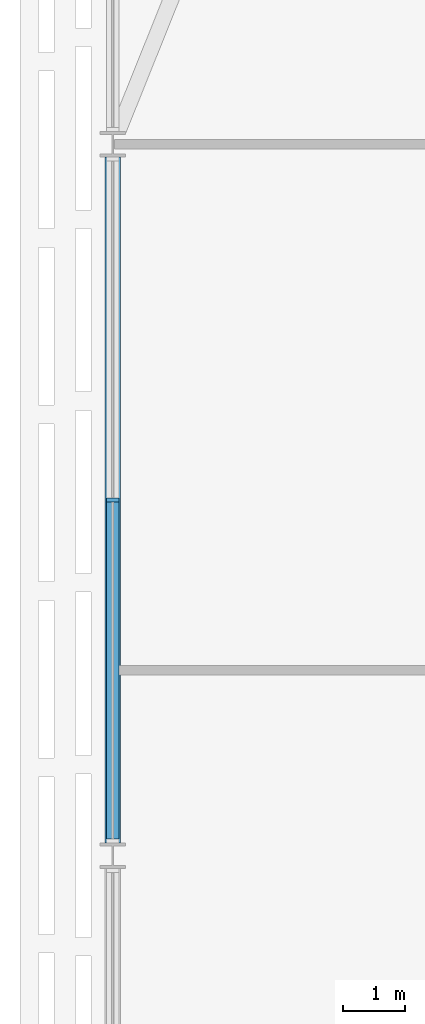
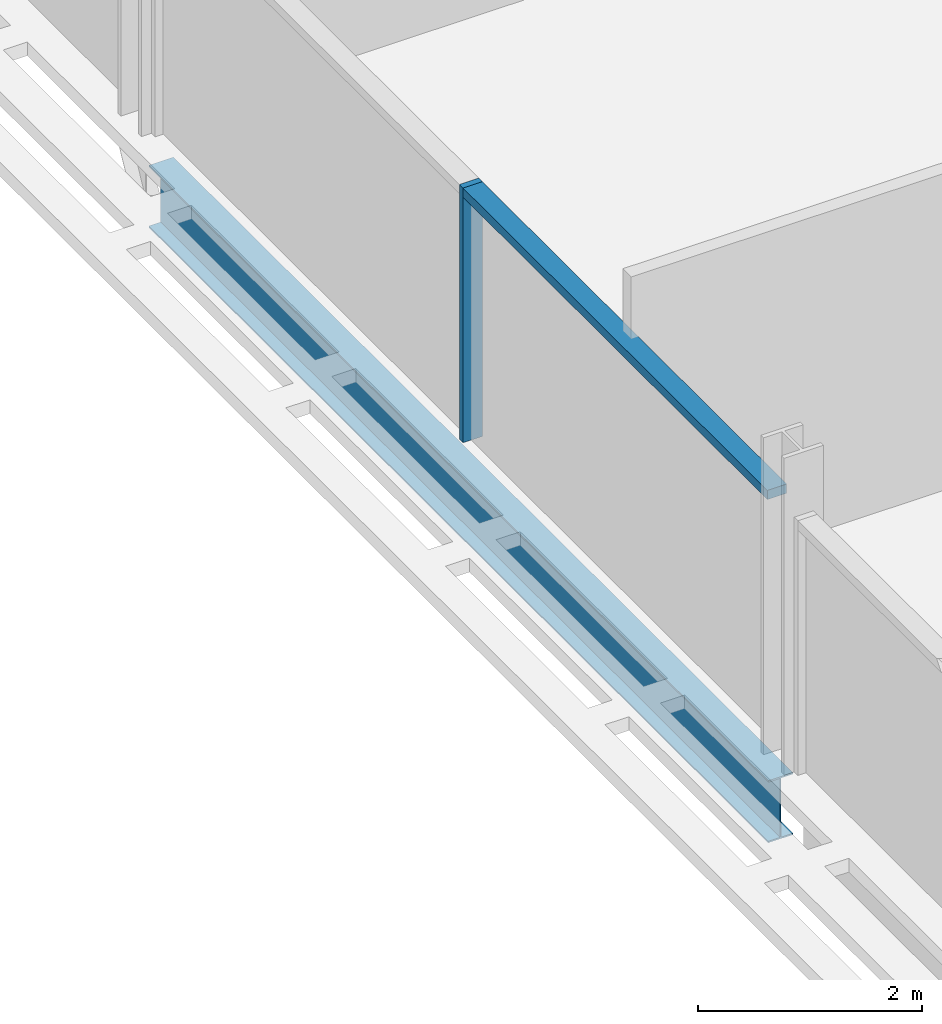
# One storey, part 4 of 27: 2 members, 1 beam, 1 element without a shape of its own.
"""IFC4 building model written with IfcOpenShell, lengths in metres."""

from ifc_helpers import new_model, si_unit, direction, frame, origin, origin_2d, place, context, subcontext, project, spatial, rectangle, i_section, extrude, material, material_profile, profile_set, type_object, element, aggregate, save


model = new_model("IFC4")

# Units and contexts
model_context = context("Model", 3, precision=1e-05, world=origin(), true_north=direction((0.0, 1.0)))
body_context = subcontext(model_context, "Body", "Model", "MODEL_VIEW")
ifc_project = project(units=[si_unit("LENGTHUNIT", "METRE"), si_unit("AREAUNIT", "SQUARE_METRE"), si_unit("VOLUMEUNIT", "CUBIC_METRE"), si_unit("PLANEANGLEUNIT", "RADIAN"), si_unit("MASSUNIT", "GRAM", prefix="KILO")], contexts=[model_context])

# Site, building, storey
site_placement = place(None, origin())
site = spatial("IfcSite", under=ifc_project, at=site_placement, CompositionType="ELEMENT")
building_placement = place(site_placement, origin())
building = spatial("IfcBuilding", under=site, at=building_placement, Name="Mahtab Terrace Research Tower", CompositionType="ELEMENT")
storey_placement = place(building_placement, frame((0.0, 0.0, 170.60009765625)))
storey = spatial("IfcBuildingStorey", under=building, at=storey_placement, Name="L40", CompositionType="ELEMENT", Elevation=170.60009765625)

# Curtain wall, members
ifc_material_1 = material(Name="Laboratory ribbon curtain wall")
curtain_wall_type = type_object("IfcCurtainWallType", Name="Laboratory ribbon curtain wall", PredefinedType="NOTDEFINED", material=ifc_material_1)
curtain_wall_placement = place(storey_placement, origin())
curtain_wall = element("IfcCurtainWall", 1, at=curtain_wall_placement, inside=storey, type_object=curtain_wall_type, Name="EN.L40.8.16", PredefinedType="NOTDEFINED")
ifc_material_2 = material(Name="Natural anodised aluminium", Category="aluminium")
ifc_material_profile_1 = material_profile(ifc_material_2, rectangle(XDim=0.199951171875, YDim=0.06494140625, at=origin_2d()), Name="MULLION 65x200")
ifc_profile_set_1 = profile_set([ifc_material_profile_1], Name="Natural anodised aluminium")
member_type_1 = type_object("IfcMemberType", Name="Laboratory ribbon curtain wall mullion", PredefinedType="MULLION", material=ifc_profile_set_1)
member_1_placement = place(storey_placement, frame((-48.0, 5.75, 0.0), z_axis=(0.0, 0.0, 1.0), x_axis=(1.0, 0.0, 0.0)))
member_1 = element("IfcMember", 2, at=member_1_placement, type_object=member_type_1, Name="CWL-5 mullion 2", PredefinedType="MULLION", context=body_context, shape_type="SweptSolid", body=[
    extrude(rectangle(XDim=0.199951171875, YDim=0.06494140625, at=origin_2d()), origin(), (0.0, 0.0, 1.0), 2.78173828125),
])
ifc_material_profile_2 = material_profile(ifc_material_2, rectangle(XDim=0.199951171875, YDim=0.10009765625, at=origin_2d()), Name="TRANSOM 100x200")
ifc_profile_set_2 = profile_set([ifc_material_profile_2], Name="Natural anodised aluminium")
member_type_2 = type_object("IfcMemberType", Name="Laboratory ribbon curtain wall transom", PredefinedType="USERDEFINED", material=ifc_profile_set_2)
member_2_placement = place(storey_placement, frame((-48.0, 5.717529296875, 2.731689453125), z_axis=(0.0, -1.0, 0.0), x_axis=(1.0, 0.0, 0.0)))
member_2 = element("IfcMember", 3, at=member_2_placement, type_object=member_type_2, Name="CWL-5 transom 2", ObjectType="TRANSOM", PredefinedType="USERDEFINED", context=body_context, shape_type="SweptSolid", body=[
    extrude(rectangle(XDim=0.199951171875, YDim=0.10009765625, at=origin_2d()), origin(), (0.0, 0.0, 1.0), 5.444580078125),
])
aggregate(curtain_wall, [member_1, member_2])

# Beam
ifc_material_3 = material(Name="Steel ASTM A992 Gr 50", Category="steel")
ifc_material_profile_3 = material_profile(ifc_material_3, i_section(OverallWidth=0.25390625, OverallDepth=0.67822265625, WebThickness=0.01171875, FlangeThickness=0.016357421875, at=origin_2d()), Name="W27X84")
ifc_profile_set_3 = profile_set([ifc_material_profile_3], Name="Steel ASTM A992 Gr 50")
beam_type = type_object("IfcBeamType", Name="W27x84 beam BS2784", PredefinedType="BEAM", material=ifc_profile_set_3)
beam_placement = place(storey_placement, frame((-48.0, 11.291748046875, -0.67919921875), z_axis=(0.0, -1.0, 0.0), x_axis=(1.0, 0.0, 0.0)))
element("IfcBeam", 4, at=beam_placement, inside=storey, type_object=beam_type, Name="Spandrel beam L40 09", PredefinedType="BEAM", context=body_context, shape_type="SweptSolid", body=[
    extrude(i_section(OverallWidth=0.25390625, OverallDepth=0.67822265625, WebThickness=0.01171875, FlangeThickness=0.016357421875, at=origin_2d()), origin(), (0.0, 0.0, 1.0), 11.08349609375),
])

save(model, "model.ifc")
